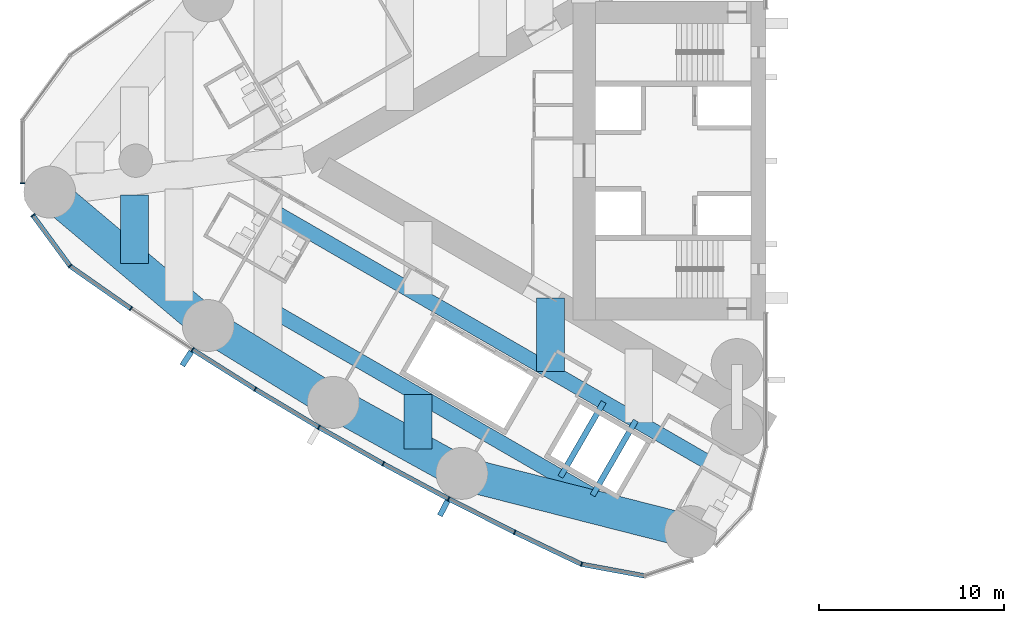
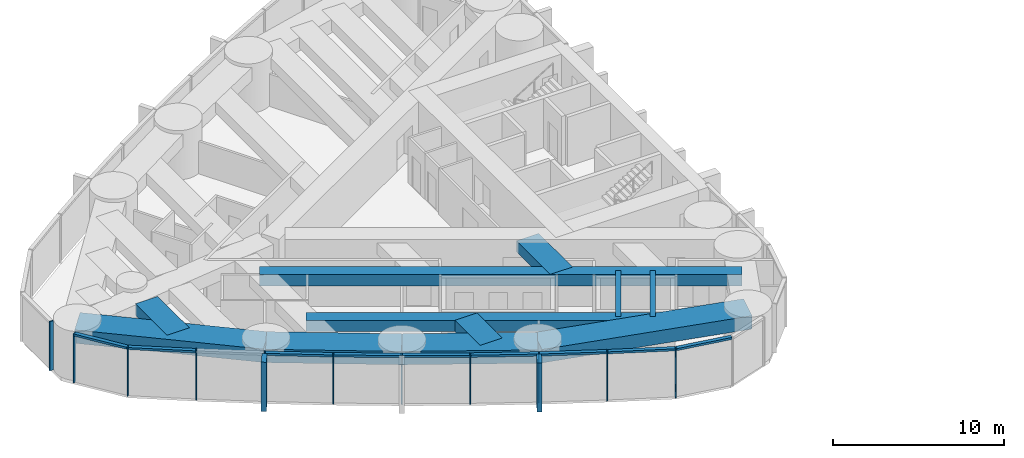
# One storey, part 2 of 19: 22 members, 11 beams, 2 elements without a shape of their own.
"""IFC4 building model written with IfcOpenShell, lengths in metres."""

from ifc_helpers import new_model, si_unit, direction, frame, origin, origin_2d, place, context, subcontext, project, spatial, rectangle, hollow_rectangle, i_section, extrude, material, material_profile, profile_set, type_object, element, aggregate, save


model = new_model("IFC4")

# Units and contexts
model_context = context("Model", 3, precision=1e-05, world=origin(), true_north=direction((0.0, 1.0)))
body_context = subcontext(model_context, "Body", "Model", "MODEL_VIEW")
ifc_project = project(units=[si_unit("LENGTHUNIT", "METRE"), si_unit("AREAUNIT", "SQUARE_METRE"), si_unit("VOLUMEUNIT", "CUBIC_METRE"), si_unit("PLANEANGLEUNIT", "RADIAN"), si_unit("MASSUNIT", "GRAM", prefix="KILO")], contexts=[model_context])

# Site, building, storey
site_placement = place(None, origin())
site = spatial("IfcSite", under=ifc_project, at=site_placement, CompositionType="ELEMENT")
building_placement = place(site_placement, origin())
building = spatial("IfcBuilding", under=site, at=building_placement, Name="Lancet Gate Hotel", CompositionType="ELEMENT")
storey_placement = place(building_placement, frame((0.0, 0.0, 159.800048828125)))
storey = spatial("IfcBuildingStorey", under=building, at=storey_placement, Name="L42", CompositionType="ELEMENT", Elevation=159.800048828125)

# Curtain wall, member
ifc_material_1 = material(Name="Aluminium curtain wall", Category="aluminium")
curtain_wall_type = type_object("IfcCurtainWallType", Name="Tower unitised curtain wall", PredefinedType="USERDEFINED", material=ifc_material_1)
curtain_wall_1_placement = place(storey_placement, origin())
curtain_wall_1 = element("IfcCurtainWall", 1, at=curtain_wall_1_placement, inside=storey, type_object=curtain_wall_type, Name="T1 L42 curtain wall 2", ObjectType="UNITISED CURTAIN WALL", PredefinedType="USERDEFINED")
ifc_material_2 = material(Name="Aluminium mullion", Category="aluminium")
ifc_material_profile_1 = material_profile(ifc_material_2, rectangle(XDim=0.06494140625, YDim=0.25, at=origin_2d()), Name="MULLION 65x250")
ifc_profile_set_1 = profile_set([ifc_material_profile_1], Name="Aluminium mullion")
member_type_1 = type_object("IfcMemberType", Name="Aluminium mullion 65x250", PredefinedType="MULLION", material=ifc_profile_set_1)
member_1_placement = place(storey_placement, frame((-67.61572265625, -1.220458984375, 0.0), z_axis=(0.0, 0.0, 1.0), x_axis=(0.0, -1.0, 0.0)))
member_1 = element("IfcMember", 2, at=member_1_placement, type_object=member_type_1, Name="T1 L42 curtain wall 2 mullion 13", PredefinedType="MULLION", context=body_context, shape_type="SweptSolid", body=[
    extrude(rectangle(XDim=0.06494140625, YDim=0.25, at=origin_2d()), origin(), (0.0, 0.0, 1.0), 3.5),
])
aggregate(curtain_wall_1, [member_1])

# Curtain wall, members
curtain_wall_2_placement = place(storey_placement, origin())
curtain_wall_2 = element("IfcCurtainWall", 3, at=curtain_wall_2_placement, inside=storey, type_object=curtain_wall_type, Name="T1 L42 curtain wall 3", ObjectType="UNITISED CURTAIN WALL", PredefinedType="USERDEFINED")
member_2_placement = place(storey_placement, frame((-67.05029296875, -2.948486328125, 0.0), z_axis=(0.0, 0.0, 1.0), x_axis=(0.591299785592, -0.806451835858, 0.0)))
member_2 = element("IfcMember", 4, at=member_2_placement, type_object=member_type_1, Name="T1 L42 curtain wall 3 mullion 1", PredefinedType="MULLION", context=body_context, shape_type="SweptSolid", body=[
    extrude(rectangle(XDim=0.06494140625, YDim=0.25, at=origin_2d()), origin(), (0.0, 0.0, 1.0), 3.5),
])
member_3_placement = place(storey_placement, frame((-65.040283203125, -5.68994140625, 0.0), z_axis=(0.0, 0.0, 1.0), x_axis=(0.724381882759, -0.689398932354, 0.0)))
member_3 = element("IfcMember", 5, at=member_3_placement, type_object=member_type_1, Name="T1 L42 curtain wall 3 mullion 2", PredefinedType="MULLION", context=body_context, shape_type="SweptSolid", body=[
    extrude(rectangle(XDim=0.06494140625, YDim=0.25, at=origin_2d()), origin(), (0.0, 0.0, 1.0), 3.5),
])
member_4_placement = place(storey_placement, frame((-61.7626953125, -7.980712890625, 0.0), z_axis=(0.0, 0.0, 1.0), x_axis=(0.826312172542, -0.563212387568, 0.0)))
member_4 = element("IfcMember", 6, at=member_4_placement, type_object=member_type_1, Name="T1 L42 curtain wall 3 mullion 3", PredefinedType="MULLION", context=body_context, shape_type="SweptSolid", body=[
    extrude(rectangle(XDim=0.06494140625, YDim=0.25, at=origin_2d()), origin(), (0.0, 0.0, 1.0), 3.5),
])
member_5_placement = place(storey_placement, frame((-58.43212890625, -10.194091796875, 0.0), z_axis=(0.0, 0.0, 1.0), x_axis=(0.839331119324, -0.54362052218, 0.0)))
member_5 = element("IfcMember", 7, at=member_5_placement, type_object=member_type_1, Name="T1 L42 curtain wall 3 mullion 4", PredefinedType="MULLION", context=body_context, shape_type="SweptSolid", body=[
    extrude(rectangle(XDim=0.06494140625, YDim=0.25, at=origin_2d()), origin(), (0.0, 0.0, 1.0), 3.5),
])
member_6_placement = place(storey_placement, frame((-55.05029296875, -12.328369140625, 0.0), z_axis=(0.0, 0.0, 1.0), x_axis=(0.851885635531, -0.52372785297, 0.0)))
member_6 = element("IfcMember", 8, at=member_6_placement, type_object=member_type_1, Name="T1 L42 curtain wall 3 mullion 5", PredefinedType="MULLION", context=body_context, shape_type="SweptSolid", body=[
    extrude(rectangle(XDim=0.06494140625, YDim=0.25, at=origin_2d()), origin(), (0.0, 0.0, 1.0), 3.5),
])
member_7_placement = place(storey_placement, frame((-51.619384765625, -14.38232421875, 0.0), z_axis=(0.0, 0.0, 1.0), x_axis=(0.863968774311, -0.503545387245, 0.0)))
member_7 = element("IfcMember", 9, at=member_7_placement, type_object=member_type_1, Name="T1 L42 curtain wall 3 mullion 6", PredefinedType="MULLION", context=body_context, shape_type="SweptSolid", body=[
    extrude(rectangle(XDim=0.06494140625, YDim=0.25, at=origin_2d()), origin(), (0.0, 0.0, 1.0), 3.5),
])
member_8_placement = place(storey_placement, frame((-48.140869140625, -16.355224609375, 0.0), z_axis=(0.0, 0.0, 1.0), x_axis=(0.87557384965, -0.483084292654, 0.0)))
member_8 = element("IfcMember", 10, at=member_8_placement, type_object=member_type_1, Name="T1 L42 curtain wall 3 mullion 7", PredefinedType="MULLION", context=body_context, shape_type="SweptSolid", body=[
    extrude(rectangle(XDim=0.06494140625, YDim=0.25, at=origin_2d()), origin(), (0.0, 0.0, 1.0), 3.5),
])
member_9_placement = place(storey_placement, frame((-44.6171875, -18.245849609375, 0.0), z_axis=(0.0, 0.0, 1.0), x_axis=(0.886694440064, -0.462355891019, 0.0)))
member_9 = element("IfcMember", 11, at=member_9_placement, type_object=member_type_1, Name="T1 L42 curtain wall 3 mullion 8", PredefinedType="MULLION", context=body_context, shape_type="SweptSolid", body=[
    extrude(rectangle(XDim=0.06494140625, YDim=0.25, at=origin_2d()), origin(), (0.0, 0.0, 1.0), 3.5),
])
member_10_placement = place(storey_placement, frame((-41.0498046875, -20.052978515625, 0.0), z_axis=(0.0, 0.0, 1.0), x_axis=(0.897324392142, -0.441371652088, 0.0)))
member_10 = element("IfcMember", 12, at=member_10_placement, type_object=member_type_1, Name="T1 L42 curtain wall 3 mullion 9", PredefinedType="MULLION", context=body_context, shape_type="SweptSolid", body=[
    extrude(rectangle(XDim=0.06494140625, YDim=0.25, at=origin_2d()), origin(), (0.0, 0.0, 1.0), 3.5),
])
member_11_placement = place(storey_placement, frame((-37.44091796875, -21.775634765625, 0.0), z_axis=(0.0, 0.0, 1.0), x_axis=(0.948119321052, -0.317914694609, 0.0)))
member_11 = element("IfcMember", 13, at=member_11_placement, type_object=member_type_1, Name="T1 L42 curtain wall 3 mullion 10", PredefinedType="MULLION", context=body_context, shape_type="SweptSolid", body=[
    extrude(rectangle(XDim=0.06494140625, YDim=0.25, at=origin_2d()), origin(), (0.0, 0.0, 1.0), 3.5),
])
ifc_material_3 = material(Name="Aluminium transom", Category="aluminium")
ifc_material_profile_2 = material_profile(ifc_material_3, rectangle(XDim=0.25, YDim=0.14990234375, at=origin_2d()), Name="TRANSOM 250x150")
ifc_profile_set_2 = profile_set([ifc_material_profile_2], Name="Aluminium transom")
member_type_2 = type_object("IfcMemberType", Name="Aluminium transom 250x150", PredefinedType="USERDEFINED", material=ifc_profile_set_2)
member_12_placement = place(storey_placement, frame((-67.031005859375, -2.974853515625, 3.425048828125), z_axis=(0.591306519832, -0.806446898193, 0.0), x_axis=(0.806446898193, 0.591306519832, 0.0)))
member_12 = element("IfcMember", 14, at=member_12_placement, type_object=member_type_2, Name="T1 L42 curtain wall 3 transom 1", ObjectType="TRANSOM", PredefinedType="USERDEFINED", context=body_context, shape_type="SweptSolid", body=[
    extrude(rectangle(XDim=0.25, YDim=0.14990234375, at=origin_2d()), origin(), (0.0, 0.0, 1.0), 3.333984375),
])
member_13_placement = place(storey_placement, frame((-65.013671875, -5.70849609375, 3.425048828125), z_axis=(0.819636985462, -0.572883244704, 0.0), x_axis=(0.572883244704, 0.819636985462, 0.0)))
member_13 = element("IfcMember", 15, at=member_13_placement, type_object=member_type_2, Name="T1 L42 curtain wall 3 transom 2", ObjectType="TRANSOM", PredefinedType="USERDEFINED", context=body_context, shape_type="SweptSolid", body=[
    extrude(rectangle(XDim=0.25, YDim=0.14990234375, at=origin_2d()), origin(), (0.0, 0.0, 1.0), 3.933837890625),
])
member_14_placement = place(storey_placement, frame((-58.40478515625, -10.21142578125, 3.425048828125), z_axis=(0.845671711095, -0.53370343549, 0.0), x_axis=(0.53370343549, 0.845671711095, 0.0)))
member_14 = element("IfcMember", 16, at=member_14_placement, type_object=member_type_2, Name="T1 L42 curtain wall 3 transom 4", ObjectType="TRANSOM", PredefinedType="USERDEFINED", context=body_context, shape_type="SweptSolid", body=[
    extrude(rectangle(XDim=0.25, YDim=0.14990234375, at=origin_2d()), origin(), (0.0, 0.0, 1.0), 3.93408203125),
])
member_15_placement = place(storey_placement, frame((-55.0224609375, -12.344970703125, 3.425048828125), z_axis=(0.857985365092, -0.513674131419, 0.0), x_axis=(0.513674131419, 0.857985365092, 0.0)))
member_15 = element("IfcMember", 17, at=member_15_placement, type_object=member_type_2, Name="T1 L42 curtain wall 3 transom 5", ObjectType="TRANSOM", PredefinedType="USERDEFINED", context=body_context, shape_type="SweptSolid", body=[
    extrude(rectangle(XDim=0.25, YDim=0.14990234375, at=origin_2d()), origin(), (0.0, 0.0, 1.0), 3.933837890625),
])
member_16_placement = place(storey_placement, frame((-51.591064453125, -14.3984375, 3.425048828125), z_axis=(0.869819807367, -0.493369539709, 0.0), x_axis=(0.493369539709, 0.869819807367, 0.0)))
member_16 = element("IfcMember", 18, at=member_16_placement, type_object=member_type_2, Name="T1 L42 curtain wall 3 transom 6", ObjectType="TRANSOM", PredefinedType="USERDEFINED", context=body_context, shape_type="SweptSolid", body=[
    extrude(rectangle(XDim=0.25, YDim=0.14990234375, at=origin_2d()), origin(), (0.0, 0.0, 1.0), 3.93408203125),
])
member_17_placement = place(storey_placement, frame((-48.1123046875, -16.37060546875, 3.425048828125), z_axis=(0.881185491994, -0.472770693571, 0.0), x_axis=(0.472770693571, 0.881185491994, 0.0)))
member_17 = element("IfcMember", 19, at=member_17_placement, type_object=member_type_2, Name="T1 L42 curtain wall 3 transom 7", ObjectType="TRANSOM", PredefinedType="USERDEFINED", context=body_context, shape_type="SweptSolid", body=[
    extrude(rectangle(XDim=0.25, YDim=0.14990234375, at=origin_2d()), origin(), (0.0, 0.0, 1.0), 3.93408203125),
])
member_18_placement = place(storey_placement, frame((-44.588134765625, -18.260498046875, 3.425048828125), z_axis=(0.892081477453, -0.451874581699, 0.0), x_axis=(0.451874581699, 0.892081477453, 0.0)))
member_18 = element("IfcMember", 20, at=member_18_placement, type_object=member_type_2, Name="T1 L42 curtain wall 3 transom 8", ObjectType="TRANSOM", PredefinedType="USERDEFINED", context=body_context, shape_type="SweptSolid", body=[
    extrude(rectangle(XDim=0.25, YDim=0.14990234375, at=origin_2d()), origin(), (0.0, 0.0, 1.0), 3.933837890625),
])
member_19_placement = place(storey_placement, frame((-41.0205078125, -20.06689453125, 3.425048828125), z_axis=(0.902468975385, -0.430754858902, 0.0), x_axis=(0.430754858902, 0.902468975385, 0.0)))
member_19 = element("IfcMember", 21, at=member_19_placement, type_object=member_type_2, Name="T1 L42 curtain wall 3 transom 9", ObjectType="TRANSOM", PredefinedType="USERDEFINED", context=body_context, shape_type="SweptSolid", body=[
    extrude(rectangle(XDim=0.25, YDim=0.14990234375, at=origin_2d()), origin(), (0.0, 0.0, 1.0), 3.93408203125),
])
member_20_placement = place(storey_placement, frame((-37.408935546875, -21.781494140625, 3.425048828125), z_axis=(0.983286757871, -0.182063592724, 0.0), x_axis=(0.182063592724, 0.983286757871, 0.0)))
member_20 = element("IfcMember", 22, at=member_20_placement, type_object=member_type_2, Name="T1 L42 curtain wall 3 transom 10", ObjectType="TRANSOM", PredefinedType="USERDEFINED", context=body_context, shape_type="SweptSolid", body=[
    extrude(rectangle(XDim=0.25, YDim=0.14990234375, at=origin_2d()), origin(), (0.0, 0.0, 1.0), 3.406005859375),
])

# Beams
ifc_material_4 = material(Name="Concrete C50/60", Category="concrete")
ifc_material_profile_3 = material_profile(ifc_material_4, rectangle(XDim=1.800048828125, YDim=0.949951171875, at=origin_2d()), Name="RC 1800x950")
ifc_profile_set_3 = profile_set([ifc_material_profile_3], Name="Concrete C50/60")
beam_type_1 = type_object("IfcBeamType", Name="Edge beam RC 1800x950", PredefinedType="SPANDREL", material=ifc_profile_set_3)
beam_1_placement = place(storey_placement, frame((-66.142578125, -1.6953125, 2.77490234375), z_axis=(0.765120708367, -0.64388687021, 0.0), x_axis=(0.64388687021, 0.765120708367, 0.0)))
element("IfcBeam", 23, at=beam_1_placement, inside=storey, type_object=beam_type_1, Name="T1 edge beam EB1 L42", PredefinedType="SPANDREL", context=body_context, shape_type="SweptSolid", body=[
    extrude(rectangle(XDim=1.800048828125, YDim=0.949951171875, at=origin_2d()), origin(), (0.0, 0.0, 1.0), 11.1787109375),
])
beam_2_placement = place(storey_placement, frame((-57.589599609375, -8.89306640625, 2.77490234375), z_axis=(0.851892008043, -0.523717487423, 0.0), x_axis=(0.523717487423, 0.851892008043, 0.0)))
element("IfcBeam", 24, at=beam_2_placement, inside=storey, type_object=beam_type_1, Name="T1 edge beam EB1 L42", PredefinedType="SPANDREL", context=body_context, shape_type="SweptSolid", body=[
    extrude(rectangle(XDim=1.800048828125, YDim=0.949951171875, at=origin_2d()), origin(), (0.0, 0.0, 1.0), 7.92431640625),
])
beam_3_placement = place(storey_placement, frame((-50.8388671875, -13.043212890625, 2.77490234375), z_axis=(0.875577684027, -0.483077342911, 0.0), x_axis=(0.483077342911, 0.875577684027, 0.0)))
element("IfcBeam", 25, at=beam_3_placement, inside=storey, type_object=beam_type_1, Name="T1 edge beam EB1 L42", PredefinedType="SPANDREL", context=body_context, shape_type="SweptSolid", body=[
    extrude(rectangle(XDim=1.800048828125, YDim=0.949951171875, at=origin_2d()), origin(), (0.0, 0.0, 1.0), 7.924560546875),
])
beam_4_placement = place(storey_placement, frame((-43.900390625, -16.871337890625, 2.77490234375), z_axis=(0.969008414312, -0.247027717052, 0.0), x_axis=(0.247027717052, 0.969008414312, 0.0)))
element("IfcBeam", 26, at=beam_4_placement, inside=storey, type_object=beam_type_1, Name="T1 edge beam EB1 L42", PredefinedType="SPANDREL", context=body_context, shape_type="SweptSolid", body=[
    extrude(rectangle(XDim=1.800048828125, YDim=0.949951171875, at=origin_2d()), origin(), (0.0, 0.0, 1.0), 12.7294921875),
])

# Member
ifc_material_5 = material(Name="Precast concrete C50/60", Category="concrete")
ifc_material_profile_4 = material_profile(ifc_material_5, rectangle(XDim=0.300048828125, YDim=0.89990234375, at=origin_2d()), Name="FIN 300x900")
ifc_profile_set_4 = profile_set([ifc_material_profile_4], Name="Precast concrete C50/60")
member_type_3 = type_object("IfcMemberType", Name="Exposed concrete fin 300x900", PredefinedType="USERDEFINED", material=ifc_profile_set_4)
member_21_placement = place(storey_placement, frame((-58.74462890625, -10.6767578125, 0.0), z_axis=(0.0, 0.0, 1.0), x_axis=(0.839331119324, -0.54362052218, 0.0)))
member_21 = element("IfcMember", 27, at=member_21_placement, type_object=member_type_3, Name="T1 L42 curtain wall 3 fin 4", ObjectType="FIN", PredefinedType="USERDEFINED", context=body_context, shape_type="SweptSolid", body=[
    extrude(rectangle(XDim=0.300048828125, YDim=0.89990234375, at=origin_2d()), origin(), (0.0, 0.0, 1.0), 3.5),
])

member_22_placement = place(storey_placement, frame((-44.883056640625, -18.755615234375, 0.0), z_axis=(0.0, 0.0, 1.0), x_axis=(0.886694440064, -0.462355891019, 0.0)))
member_22 = element("IfcMember", 28, at=member_22_placement, type_object=member_type_3, Name="T1 L42 curtain wall 3 fin 8", ObjectType="FIN", PredefinedType="USERDEFINED", context=body_context, shape_type="SweptSolid", body=[
    extrude(rectangle(XDim=0.300048828125, YDim=0.89990234375, at=origin_2d()), origin(), (0.0, 0.0, 1.0), 3.5),
])

aggregate(curtain_wall_2, [member_2, member_3, member_4, member_5, member_21, member_6, member_7, member_8, member_9, member_22, member_10, member_11, member_12, member_13, member_14, member_15, member_16, member_17, member_18, member_19, member_20])

# Beams
ifc_material_6 = material(Name="Concrete C50/60", Category="concrete")
ifc_material_profile_5 = material_profile(ifc_material_6, rectangle(XDim=1.5, YDim=0.800048828125, at=origin_2d()), Name="RC 1500x800")
ifc_profile_set_5 = profile_set([ifc_material_profile_5], Name="Concrete C50/60")
beam_type_2 = type_object("IfcBeamType", Name="Floor beam RC 1500x800", PredefinedType="BEAM", material=ifc_profile_set_5)
beam_5_placement = place(storey_placement, frame((-61.568359375, -1.85400390625, 2.849853515625), z_axis=(0.0, -1.0, 0.0), x_axis=(1.0, 0.0, 0.0)))
element("IfcBeam", 29, at=beam_5_placement, inside=storey, type_object=beam_type_2, Name="T1 floor beam F15N L42", PredefinedType="BEAM", context=body_context, shape_type="SweptSolid", body=[
    extrude(rectangle(XDim=1.5, YDim=0.800048828125, at=origin_2d()), origin(), (0.0, 0.0, 1.0), 3.69091796875),
])
beam_6_placement = place(storey_placement, frame((-39.122314453125, -7.41650390625, 2.849853515625), z_axis=(0.0, -1.0, 0.0), x_axis=(1.0, 0.0, 0.0)))
element("IfcBeam", 30, at=beam_6_placement, inside=storey, type_object=beam_type_2, Name="T1 floor beam F05NA L42", PredefinedType="BEAM", context=body_context, shape_type="SweptSolid", body=[
    extrude(rectangle(XDim=1.5, YDim=0.800048828125, at=origin_2d()), origin(), (0.0, 0.0, 1.0), 3.945556640625),
])
beam_7_placement = place(storey_placement, frame((-46.27587890625, -12.61962890625, 2.849853515625), z_axis=(0.0, -1.0, 0.0), x_axis=(1.0, 0.0, 0.0)))
element("IfcBeam", 31, at=beam_7_placement, inside=storey, type_object=beam_type_2, Name="T1 floor beam F08NB L42", PredefinedType="BEAM", context=body_context, shape_type="SweptSolid", body=[
    extrude(rectangle(XDim=1.5, YDim=0.800048828125, at=origin_2d()), origin(), (0.0, 0.0, 1.0), 2.941162109375),
])
ifc_material_7 = material(Name="Steel S355", Category="steel")
ifc_material_profile_6 = material_profile(ifc_material_7, i_section(OverallWidth=0.3046875, OverallDepth=0.6123046875, WebThickness=0.01171875, FlangeThickness=0.019775390625, FilletRadius=0.0166015625, at=origin_2d()), Name="UKB 610x305x149")
ifc_profile_set_6 = profile_set([ifc_material_profile_6], Name="Steel S355")
beam_type_3 = type_object("IfcBeamType", Name="Lift lifting beam UKB 610x305x149", PredefinedType="BEAM", material=ifc_profile_set_6)
for number, where, z_axis, x_axis, name in (
    (32, (-34.517333984375, -14.020751953125, 2.94384765625), (-0.499932327656, -0.866064470905, 0.0), (0.866064470905, -0.499932327656, 0.0), "T1 lifting beam EX1"),
    (33, (-36.24951171875, -13.020751953125, 2.94384765625), (-0.499932327656, -0.866064470905, 0.0), (0.866064470905, -0.499932327656, 0.0), "T1 lifting beam EX2"),
):
    element("IfcBeam", number, at=place(storey_placement, frame(where, z_axis=z_axis, x_axis=x_axis)), inside=storey, type_object=beam_type_3, Name=name, PredefinedType="BEAM", context=body_context, shape_type="SweptSolid", body=[
        extrude(i_section(OverallWidth=0.3046875, OverallDepth=0.6123046875, WebThickness=0.01171875, FlangeThickness=0.019775390625, FilletRadius=0.0166015625, at=origin_2d()), origin(), (0.0, 0.0, 1.0), 4.665771484375),
    ])
ifc_material_8 = material(Name="Steel S460QL", Category="steel")
ifc_material_profile_7 = material_profile(ifc_material_8, hollow_rectangle(XDim=0.800048828125, YDim=0.800048828125, WallThickness=0.080078125, at=origin_2d()), Name="BOX 800x800x80")
ifc_profile_set_7 = profile_set([ifc_material_profile_7], Name="Steel S460QL")
beam_type_4 = type_object("IfcBeamType", Name="Trimmer beam BOX 800x800x80", PredefinedType="BEAM", material=ifc_profile_set_7)
beam_8_placement = place(storey_placement, frame((-30.0166015625, -16.619384765625, 2.849853515625), z_axis=(-0.866030010252, 0.499992021278, 0.0), x_axis=(-0.499992021278, -0.866030010252, 0.0)))
element("IfcBeam", 34, at=beam_8_placement, inside=storey, type_object=beam_type_4, Name="T1 trimmer beam TR01N L42", PredefinedType="BEAM", context=body_context, shape_type="SweptSolid", body=[
    extrude(hollow_rectangle(XDim=0.800048828125, YDim=0.800048828125, WallThickness=0.080078125, at=origin_2d()), origin(), (0.0, 0.0, 1.0), 28.11865234375),
])
beam_9_placement = place(storey_placement, frame((-34.966552734375, -19.14892578125, 2.849853515625), z_axis=(-0.866032239169, 0.499988160579, 0.0), x_axis=(-0.499988160579, -0.866032239169, 0.0)))
element("IfcBeam", 35, at=beam_9_placement, inside=storey, type_object=beam_type_4, Name="T1 trimmer beam TR02N L42", PredefinedType="BEAM", context=body_context, shape_type="SweptSolid", body=[
    extrude(hollow_rectangle(XDim=0.800048828125, YDim=0.800048828125, WallThickness=0.080078125, at=origin_2d()), origin(), (0.0, 0.0, 1.0), 22.40283203125),
])

save(model, "model.ifc")
